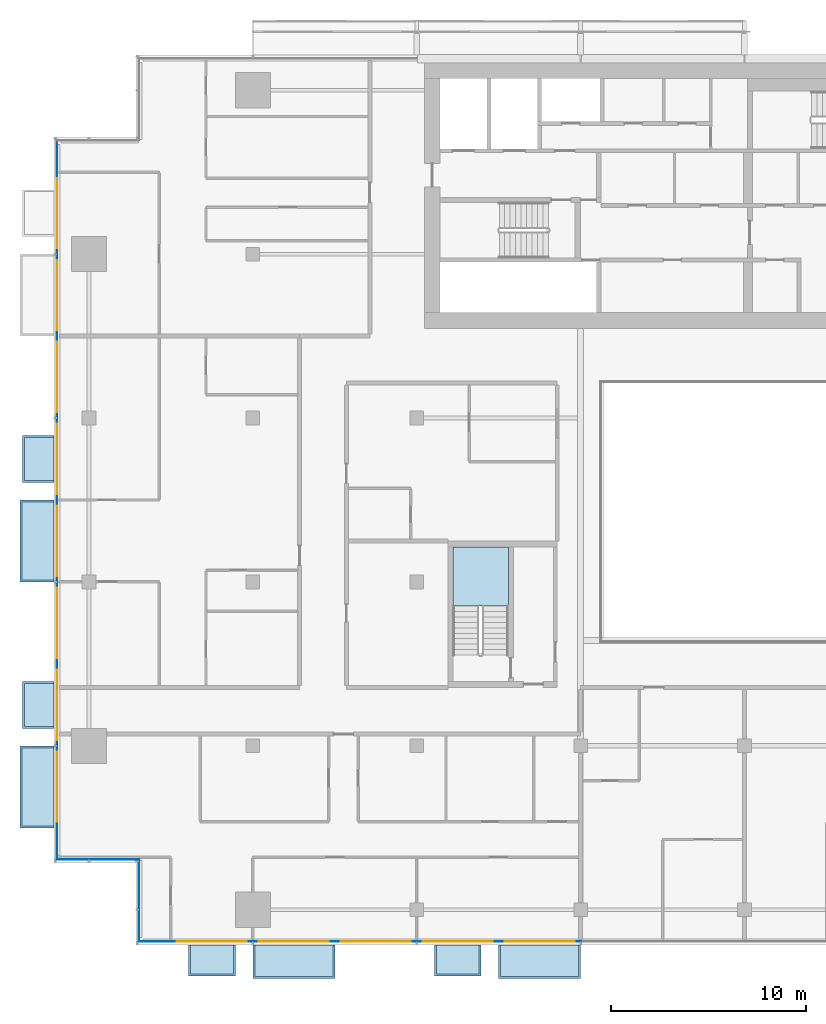
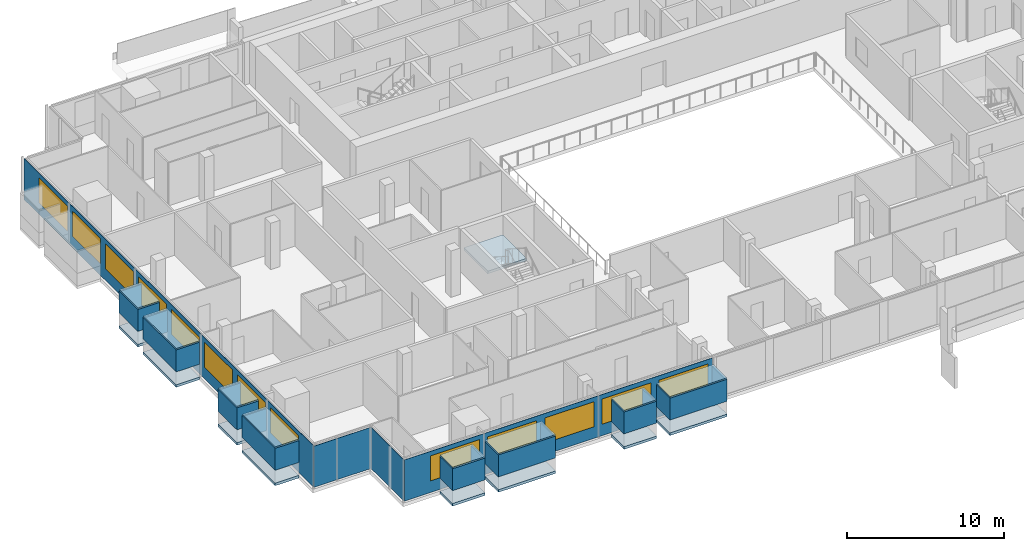
# One storey, part 14 of 28: 20 plates, 13 windows, 9 slabs, 13 openings, 5 elements without a shape of their own.
"""IFC4 building model written with IfcOpenShell, lengths in metres."""

import ifcopenshell
import ifcopenshell.guid

model = None  # the IFC model being written
_history = None  # IfcOwnerHistory: only IFC2X3 demands one
_inside = {}  # id of a spatial element -> (the spatial element, [elements in it])
_under = {}  # id of a project, library or spatial element -> (it, [spatial elements below it])
_declared = {}  # id of a project -> (the project, [libraries it declares])
_typed = {}  # id of a type object -> (the type object, [elements of that type])
_made_of = {}  # id of a material, layer set ... -> (it, [elements and type objects made of it])


def new_model(schema):
    """Start an empty IFC model of exactly this schema.

    Asked for "IFC4X3", IfcOpenShell would pick the latest addendum, in which some entities
    have other attributes; the version numbers below select the first issue.
    IFC2X3 requires an IfcOwnerHistory on every rooted entity: one is made here for all.
    """
    global model, _history
    if schema == "IFC4X3":
        model = ifcopenshell.file(schema_version=(4, 3, 0, 0))
    else:
        model = ifcopenshell.file(schema=schema)
    _inside.clear()
    _under.clear()
    _declared.clear()
    _typed.clear()
    _made_of.clear()
    _history = None
    if model.schema == "IFC2X3":
        org = make("IfcOrganization", Name="unknown")
        user = make(
            "IfcPersonAndOrganization",
            ThePerson=make("IfcPerson", FamilyName="unknown"),
            TheOrganization=org,
        )
        app = make(
            "IfcApplication",
            ApplicationDeveloper=org,
            Version="unknown",
            ApplicationFullName="unknown",
            ApplicationIdentifier="unknown",
        )
        _history = make(
            "IfcOwnerHistory",
            OwningUser=user,
            OwningApplication=app,
            ChangeAction="ADDED",
            CreationDate=0,
        )
    return model


def make(cls, **values):
    """One entity of the class cls with the attributes given. An attribute that is None is left unset."""
    return model.create_entity(
        cls, **{name: value for name, value in values.items() if value is not None}
    )


def rooted(cls, **values):
    """An entity with a GlobalId (a new one), such as an element, a storey or a relation."""
    return make(cls, GlobalId=ifcopenshell.guid.new(), OwnerHistory=_history, **values)


def si_unit(unit_type, name, prefix=None):
    """IfcSIUnit, for example si_unit("LENGTHUNIT", "METRE", prefix="MILLI")."""
    return make("IfcSIUnit", UnitType=unit_type, Prefix=prefix, Name=name)


def assignment(units):
    """IfcUnitAssignment: the units of a project."""
    return None if units is None else make("IfcUnitAssignment", Units=units)


def point(xyz):
    """IfcCartesianPoint."""
    return None if xyz is None else make("IfcCartesianPoint", Coordinates=xyz)


def direction(xyz):
    """IfcDirection."""
    return None if xyz is None else make("IfcDirection", DirectionRatios=xyz)


def frame(location, z_axis=None, x_axis=None):
    """IfcAxis2Placement3D, a coordinate frame: its origin and axes. An axis left out is left unset."""
    return make(
        "IfcAxis2Placement3D",
        Location=point(location),
        Axis=direction(z_axis),
        RefDirection=direction(x_axis),
    )


def frame_2d(location, x_axis=None):
    """IfcAxis2Placement2D, a coordinate frame in the plane: its origin and x axis."""
    return make(
        "IfcAxis2Placement2D", Location=point(location), RefDirection=direction(x_axis)
    )


def origin():
    """The frame at (0, 0, 0) with its axes left unset."""
    return frame((0.0, 0.0, 0.0))


def place(relative_to, where):
    """IfcLocalPlacement: puts the frame where relative to a parent placement (None: the world)."""
    return make(
        "IfcLocalPlacement", PlacementRelTo=relative_to, RelativePlacement=where
    )


def context(
    kind, dimensions, precision=None, world=None, true_north=None, identifier=None
):
    """IfcGeometricRepresentationContext, for example the 3D "Model" context."""
    return make(
        "IfcGeometricRepresentationContext",
        ContextIdentifier=identifier,
        ContextType=kind,
        CoordinateSpaceDimension=dimensions,
        Precision=precision,
        WorldCoordinateSystem=world,
        TrueNorth=true_north,
    )


def subcontext(parent, identifier, kind, view, scale=None):
    """IfcGeometricRepresentationSubContext, for example "Body" below "Model"."""
    return make(
        "IfcGeometricRepresentationSubContext",
        ContextIdentifier=identifier,
        ContextType=kind,
        ParentContext=parent,
        TargetScale=scale,
        TargetView=view,
    )


def project(units=None, contexts=None):
    """IfcProject with its units and contexts."""
    return rooted(
        "IfcProject",
        Name="project",
        RepresentationContexts=contexts,
        UnitsInContext=assignment(units),
    )


def spatial(cls, under=None, at=None, **own):
    """A site, building, storey or space (cls), placed at a placement, below another one or the project."""
    s = rooted(cls, ObjectPlacement=at, **own)
    if under is not None:
        _under.setdefault(under.id(), (under, []))[1].append(s)
    return s


def polyline(points):
    """IfcPolyline through the points."""
    return make("IfcPolyline", Points=[point(p) for p in points])


def profile(cls, at=None, kind="AREA", **sizes):
    """A parametric profile (cls). Its sizes go by their IFC names, for example OverallWidth=200.0."""
    return make(cls, ProfileType=kind, Position=at, **sizes)


def rectangle(**sizes):
    """IfcRectangleProfileDef."""
    return profile("IfcRectangleProfileDef", **sizes)


def outline(outer, holes=None, kind="AREA"):
    """IfcArbitraryClosedProfileDef: a profile drawn as a closed curve; with holes, ...WithVoids."""
    if holes is None:
        return make("IfcArbitraryClosedProfileDef", ProfileType=kind, OuterCurve=outer)
    return make(
        "IfcArbitraryProfileDefWithVoids",
        ProfileType=kind,
        OuterCurve=outer,
        InnerCurves=holes,
    )


def extrude(swept, where, along, depth):
    """IfcExtrudedAreaSolid: the profile swept, set in the frame where, extruded along a direction by depth."""
    return make(
        "IfcExtrudedAreaSolid",
        SweptArea=swept,
        Position=where,
        ExtrudedDirection=direction(along),
        Depth=depth,
    )


def shape(context_of_items, identifier, shape_type, items):
    """IfcShapeRepresentation: the items that make up one representation, for example the "Body"."""
    return make(
        "IfcShapeRepresentation",
        ContextOfItems=context_of_items,
        RepresentationIdentifier=identifier,
        RepresentationType=shape_type,
        Items=items,
    )


def material(Name=None, Category=None):
    """IfcMaterial."""
    return make("IfcMaterial", Name=Name, Category=Category)


def layer(
    of_material, thickness, ventilated=None, Name=None, Category=None, Priority=None
):
    """IfcMaterialLayer: one layer of a wall or slab, of a material (None: an air gap)."""
    return make(
        "IfcMaterialLayer",
        Material=of_material,
        LayerThickness=thickness,
        IsVentilated=ventilated,
        Name=Name,
        Category=Category,
        Priority=Priority,
    )


def layer_set(layers, Name=None):
    """IfcMaterialLayerSet."""
    return make("IfcMaterialLayerSet", MaterialLayers=layers, LayerSetName=Name)


def made_of(thing, what):
    """Note that an element or type object is made of a material, layer set ...; save() writes the relation."""
    if what is not None:
        _made_of.setdefault(what.id(), (what, []))[1].append(thing)
    return thing


def type_object(cls, material=None, **own):
    """A type object (cls), such as IfcWallType, which elements share."""
    return made_of(rooted(cls, **own), material)


def element(
    cls,
    number,
    at=None,
    inside=None,
    cuts=None,
    type_object=None,
    material=None,
    context=None,
    identifier="Body",
    shape_type=None,
    held_by="IfcProductDefinitionShape",
    body=None,
    shapes=None,
    **own,
):
    """One element of the class cls, such as IfcWall. Its Tag is "e" and its number.

    at: its placement. inside: the storey or other place that contains it. cuts: it is an
    opening in that element (IfcRelVoidsElement). A single representation is given by context,
    identifier, shape_type and body (its items); several are given by shapes. held_by: the class
    of the entity that holds the representations. save() writes the other relations.
    """
    e = rooted(cls, Tag="e%d" % number, ObjectPlacement=at, **own)
    if body is not None:
        shapes = [shape(context, identifier, shape_type, body)]
    if shapes is not None:
        e.Representation = make(held_by, Representations=shapes)
    if inside is not None:
        _inside.setdefault(inside.id(), (inside, []))[1].append(e)
    if cuts is not None:
        rooted(
            "IfcRelVoidsElement", RelatingBuildingElement=cuts, RelatedOpeningElement=e
        )
    if type_object is not None:
        _typed.setdefault(type_object.id(), (type_object, []))[1].append(e)
    return made_of(e, material)


def fill(opening, filler):
    """IfcRelFillsElement: the door or window that sits in an opening."""
    return rooted(
        "IfcRelFillsElement",
        RelatingOpeningElement=opening,
        RelatedBuildingElement=filler,
    )


def aggregate(whole, parts):
    """IfcRelAggregates: a whole, such as a stair, and the parts it consists of."""
    return rooted("IfcRelAggregates", RelatingObject=whole, RelatedObjects=parts)


def save(model, path):
    """Write the relations noted so far, then the file.

    IfcRelAggregates (storeys below a building ...), IfcRelContainedInSpatialStructure (elements
    in a storey), IfcRelDefinesByType, IfcRelAssociatesMaterial and IfcRelDeclares: one each for
    every whole, place, type object, material and project.
    """
    for whole, parts in _under.values():
        aggregate(whole, parts)
    for where, things in _inside.values():
        rooted(
            "IfcRelContainedInSpatialStructure",
            RelatedElements=things,
            RelatingStructure=where,
        )
    for kind, things in _typed.values():
        rooted("IfcRelDefinesByType", RelatedObjects=things, RelatingType=kind)
    for what, things in _made_of.values():
        rooted("IfcRelAssociatesMaterial", RelatedObjects=things, RelatingMaterial=what)
    for by, libraries in _declared.values():
        rooted("IfcRelDeclares", RelatingContext=by, RelatedDefinitions=libraries)
    model.write(path)


model = new_model("IFC4")

# Units and contexts
model_context = context("Model", 3, precision=1e-05, world=origin(), true_north=direction((0.0, 1.0)))
body_context = subcontext(model_context, "Body", "Model", "MODEL_VIEW")
ifc_project = project(units=[si_unit("LENGTHUNIT", "METRE"), si_unit("AREAUNIT", "SQUARE_METRE"), si_unit("VOLUMEUNIT", "CUBIC_METRE"), si_unit("PLANEANGLEUNIT", "RADIAN"), si_unit("MASSUNIT", "GRAM", prefix="KILO")], contexts=[model_context])

# Site, building, storey
site_placement = place(None, origin())
site = spatial("IfcSite", under=ifc_project, at=site_placement, CompositionType="ELEMENT")
building_placement = place(site_placement, origin())
building = spatial("IfcBuilding", under=site, at=building_placement, Name="Saffron Gate Tower", CompositionType="ELEMENT")
storey_placement = place(building_placement, frame((0.0, 0.0, 154.64990234375)))
storey = spatial("IfcBuildingStorey", under=building, at=storey_placement, Name="L37", CompositionType="ELEMENT", Elevation=154.64990234375)

# Curtain wall, plate, openings, windows
ifc_material_1 = material(Name="Aluminium, bronze anodised", Category="aluminium")
curtain_wall_type_1 = type_object("IfcCurtainWallType", Name="CWS1 curtain wall front facade", PredefinedType="NOTDEFINED", material=ifc_material_1)
curtain_wall_1_placement = place(storey_placement, origin())
curtain_wall_1 = element("IfcCurtainWall", 1, at=curtain_wall_1_placement, inside=storey, type_object=curtain_wall_type_1, Name="CWS1 run 1", PredefinedType="NOTDEFINED")
ifc_material_2 = material(Name="Fritted bronze-tinted laminated glass", Category="glass")
ifc_layer_1 = layer(ifc_material_2, 0.028076171875)
ifc_layer_set_1 = layer_set([ifc_layer_1], Name="CWS1 fixed glass")
plate_type_1 = type_object("IfcPlateType", Name="CWS1 fixed glass", PredefinedType="CURTAIN_PANEL", material=ifc_layer_set_1)
plate_1_placement = place(storey_placement, frame((52.387939453125, 30.174072265625, 0.0), z_axis=(0.0, 0.0, 1.0), x_axis=(1.0, 0.0, 0.0)))
plate_1 = element("IfcPlate", 2, at=plate_1_placement, type_object=plate_type_1, Name="CWS1 glass panel", PredefinedType="CURTAIN_PANEL", context=body_context, shape_type="SweptSolid", body=[
    extrude(rectangle(XDim=22.64208984375, YDim=0.028076171875, at=frame_2d((11.321044921875, 0.0))), origin(), (0.0, 0.0, 1.0), 3.2001953125),
])
opening_1_placement = place(plate_1_placement, frame((1.912109375, 0.0, 0.89990234375)))
opening_1 = element("IfcOpeningElement", 3, at=opening_1_placement, cuts=plate_1, Name="Opening W1", PredefinedType="OPENING", context=body_context, shape_type="SweptSolid", body=[
    extrude(rectangle(XDim=3.60009765625, YDim=1.949951171875, at=frame_2d((1.800048828125, 0.97509765625))), frame((0.0, 0.02392578125, 0.0), z_axis=(0.0, -1.0, 0.0), x_axis=(1.0, 0.0, 0.0)), (0.0, 0.0, 1.0), 0.048095703125),
])
opening_2_placement = place(plate_1_placement, frame((6.112060546875, 0.0, 0.89990234375)))
opening_2 = element("IfcOpeningElement", 4, at=opening_2_placement, cuts=plate_1, Name="Opening W1", PredefinedType="OPENING", context=body_context, shape_type="SweptSolid", body=[
    extrude(rectangle(XDim=3.60009765625, YDim=1.949951171875, at=frame_2d((1.800048828125, 0.97509765625))), frame((0.0, 0.02392578125, 0.0), z_axis=(0.0, -1.0, 0.0), x_axis=(1.0, 0.0, 0.0)), (0.0, 0.0, 1.0), 0.048095703125),
])
opening_3_placement = place(plate_1_placement, frame((10.31201171875, 0.0, 0.89990234375)))
opening_3 = element("IfcOpeningElement", 5, at=opening_3_placement, cuts=plate_1, Name="Opening W1", PredefinedType="OPENING", context=body_context, shape_type="SweptSolid", body=[
    extrude(rectangle(XDim=3.60009765625, YDim=1.949951171875, at=frame_2d((1.800048828125, 0.97509765625))), frame((0.0, 0.02392578125, 0.0), z_axis=(0.0, -1.0, 0.0), x_axis=(1.0, 0.0, 0.0)), (0.0, 0.0, 1.0), 0.048095703125),
])
opening_4_placement = place(plate_1_placement, frame((14.511962890625, 0.0, 0.89990234375)))
opening_4 = element("IfcOpeningElement", 6, at=opening_4_placement, cuts=plate_1, Name="Opening W1", PredefinedType="OPENING", context=body_context, shape_type="SweptSolid", body=[
    extrude(rectangle(XDim=3.60009765625, YDim=1.949951171875, at=frame_2d((1.800048828125, 0.97509765625))), frame((0.0, 0.02392578125, 0.0), z_axis=(0.0, -1.0, 0.0), x_axis=(1.0, 0.0, 0.0)), (0.0, 0.0, 1.0), 0.048095703125),
])
opening_5_placement = place(plate_1_placement, frame((18.7119140625, 0.0, 0.89990234375)))
opening_5 = element("IfcOpeningElement", 7, at=opening_5_placement, cuts=plate_1, Name="Opening W1", PredefinedType="OPENING", context=body_context, shape_type="SweptSolid", body=[
    extrude(rectangle(XDim=3.60009765625, YDim=1.949951171875, at=frame_2d((1.800048828125, 0.97509765625))), frame((0.0, 0.02392578125, 0.0), z_axis=(0.0, -1.0, 0.0), x_axis=(1.0, 0.0, 0.0)), (0.0, 0.0, 1.0), 0.048095703125),
])
ifc_material_3 = material(Name="Fritted bronze-tinted laminated glass in bronze frame", Category="glass")
ifc_layer_2 = layer(ifc_material_3, 0.06005859375)
ifc_layer_set_2 = layer_set([ifc_layer_2], Name="W1 operable panel 3600x1950")
window_type = type_object("IfcWindowType", Name="W1 operable panel 3600x1950", PartitioningType="DOUBLE_PANEL_HORIZONTAL", PredefinedType="WINDOW", material=ifc_layer_set_2)
window_1_placement = place(opening_1_placement, origin())
window_1 = element("IfcWindow", 8, at=window_1_placement, type_object=window_type, Name="W1 operable panel", OverallHeight=1.949951171875, OverallWidth=3.60009765625, PartitioningType="SINGLE_PANEL", PredefinedType="WINDOW", context=body_context, shape_type="SweptSolid", body=[
    extrude(rectangle(XDim=3.60009765625, YDim=1.949951171875, at=frame_2d((1.800048828125, 0.97509765625))), frame((0.0, 0.013671875, 0.0), z_axis=(0.0, -1.0, 0.0), x_axis=(1.0, 0.0, 0.0)), (0.0, 0.0, 1.0), 0.027587890625),
])
fill(opening_1, window_1)
window_2_placement = place(opening_2_placement, origin())
window_2 = element("IfcWindow", 9, at=window_2_placement, type_object=window_type, Name="W1 operable panel", OverallHeight=1.949951171875, OverallWidth=3.60009765625, PartitioningType="SINGLE_PANEL", PredefinedType="WINDOW", context=body_context, shape_type="SweptSolid", body=[
    extrude(rectangle(XDim=3.60009765625, YDim=1.949951171875, at=frame_2d((1.800048828125, 0.97509765625))), frame((0.0, 0.013671875, 0.0), z_axis=(0.0, -1.0, 0.0), x_axis=(1.0, 0.0, 0.0)), (0.0, 0.0, 1.0), 0.027587890625),
])
fill(opening_2, window_2)
window_3_placement = place(opening_3_placement, origin())
window_3 = element("IfcWindow", 10, at=window_3_placement, type_object=window_type, Name="W1 operable panel", OverallHeight=1.949951171875, OverallWidth=3.60009765625, PartitioningType="SINGLE_PANEL", PredefinedType="WINDOW", context=body_context, shape_type="SweptSolid", body=[
    extrude(rectangle(XDim=3.60009765625, YDim=1.949951171875, at=frame_2d((1.800048828125, 0.97509765625))), frame((0.0, 0.013671875, 0.0), z_axis=(0.0, -1.0, 0.0), x_axis=(1.0, 0.0, 0.0)), (0.0, 0.0, 1.0), 0.027587890625),
])
fill(opening_3, window_3)
window_4_placement = place(opening_4_placement, origin())
window_4 = element("IfcWindow", 11, at=window_4_placement, type_object=window_type, Name="W1 operable panel", OverallHeight=1.949951171875, OverallWidth=3.60009765625, PartitioningType="SINGLE_PANEL", PredefinedType="WINDOW", context=body_context, shape_type="SweptSolid", body=[
    extrude(rectangle(XDim=3.60009765625, YDim=1.949951171875, at=frame_2d((1.800048828125, 0.97509765625))), frame((0.0, 0.013671875, 0.0), z_axis=(0.0, -1.0, 0.0), x_axis=(1.0, 0.0, 0.0)), (0.0, 0.0, 1.0), 0.027587890625),
])
fill(opening_4, window_4)
window_5_placement = place(opening_5_placement, origin())
window_5 = element("IfcWindow", 12, at=window_5_placement, type_object=window_type, Name="W1 operable panel", OverallHeight=1.949951171875, OverallWidth=3.60009765625, PartitioningType="SINGLE_PANEL", PredefinedType="WINDOW", context=body_context, shape_type="SweptSolid", body=[
    extrude(rectangle(XDim=3.60009765625, YDim=1.949951171875, at=frame_2d((1.800048828125, 0.97509765625))), frame((0.0, 0.013671875, 0.0), z_axis=(0.0, -1.0, 0.0), x_axis=(1.0, 0.0, 0.0)), (0.0, 0.0, 1.0), 0.027587890625),
])
fill(opening_5, window_5)
aggregate(curtain_wall_1, [plate_1, window_1, window_2, window_3, window_4, window_5])

curtain_wall_type_2 = type_object("IfcCurtainWallType", Name="CWS2 curtain wall side facades", PredefinedType="NOTDEFINED", material=ifc_material_1)
curtain_wall_2_placement = place(storey_placement, origin())
curtain_wall_2 = element("IfcCurtainWall", 13, at=curtain_wall_2_placement, inside=storey, type_object=curtain_wall_type_2, Name="CWS2 run 10", PredefinedType="NOTDEFINED")
ifc_layer_3 = layer(ifc_material_2, 0.028076171875)
ifc_layer_set_3 = layer_set([ifc_layer_3], Name="CWS2 fixed glass")
plate_type_2 = type_object("IfcPlateType", Name="CWS2 fixed glass", PredefinedType="CURTAIN_PANEL", material=ifc_layer_set_3)
plate_2_placement = place(storey_placement, frame((48.174072265625, 71.2119140625, 0.0), z_axis=(0.0, 0.0, 1.0), x_axis=(0.0, -1.0, 0.0)))
plate_2 = element("IfcPlate", 14, at=plate_2_placement, type_object=plate_type_2, Name="CWS2 glass panel", PredefinedType="CURTAIN_PANEL", context=body_context, shape_type="SweptSolid", body=[
    extrude(rectangle(XDim=36.823974609375, YDim=0.028076171875, at=frame_2d((18.412109375, 0.0))), origin(), (0.0, 0.0, 1.0), 3.2001953125),
])
opening_6_placement = place(plate_2_placement, frame((1.912109375, 0.0, 0.89990234375)))
opening_6 = element("IfcOpeningElement", 15, at=opening_6_placement, cuts=plate_2, Name="Opening W1", PredefinedType="OPENING", context=body_context, shape_type="SweptSolid", body=[
    extrude(rectangle(XDim=3.60009765625, YDim=1.949951171875, at=frame_2d((1.800048828125, 0.97509765625))), frame((0.0, 0.02392578125, 0.0), z_axis=(0.0, -1.0, 0.0), x_axis=(1.0, 0.0, 0.0)), (0.0, 0.0, 1.0), 0.048095703125),
])
opening_7_placement = place(plate_2_placement, frame((6.112060546875, 0.0, 0.89990234375)))
opening_7 = element("IfcOpeningElement", 16, at=opening_7_placement, cuts=plate_2, Name="Opening W1", PredefinedType="OPENING", context=body_context, shape_type="SweptSolid", body=[
    extrude(rectangle(XDim=3.60009765625, YDim=1.949951171875, at=frame_2d((1.800048828125, 0.97509765625))), frame((0.0, 0.02392578125, 0.0), z_axis=(0.0, -1.0, 0.0), x_axis=(1.0, 0.0, 0.0)), (0.0, 0.0, 1.0), 0.048095703125),
])
opening_8_placement = place(plate_2_placement, frame((10.31201171875, 0.0, 0.89990234375)))
opening_8 = element("IfcOpeningElement", 17, at=opening_8_placement, cuts=plate_2, Name="Opening W1", PredefinedType="OPENING", context=body_context, shape_type="SweptSolid", body=[
    extrude(rectangle(XDim=3.60009765625, YDim=1.949951171875, at=frame_2d((1.800048828125, 0.97509765625))), frame((0.0, 0.02392578125, 0.0), z_axis=(0.0, -1.0, 0.0), x_axis=(1.0, 0.0, 0.0)), (0.0, 0.0, 1.0), 0.048095703125),
])
opening_9_placement = place(plate_2_placement, frame((14.511962890625, 0.0, 0.89990234375)))
opening_9 = element("IfcOpeningElement", 18, at=opening_9_placement, cuts=plate_2, Name="Opening W1", PredefinedType="OPENING", context=body_context, shape_type="SweptSolid", body=[
    extrude(rectangle(XDim=3.60009765625, YDim=1.949951171875, at=frame_2d((1.800048828125, 0.97509765625))), frame((0.0, 0.02392578125, 0.0), z_axis=(0.0, -1.0, 0.0), x_axis=(1.0, 0.0, 0.0)), (0.0, 0.0, 1.0), 0.048095703125),
])
opening_10_placement = place(plate_2_placement, frame((18.7119140625, 0.0, 0.89990234375)))
opening_10 = element("IfcOpeningElement", 19, at=opening_10_placement, cuts=plate_2, Name="Opening W1", PredefinedType="OPENING", context=body_context, shape_type="SweptSolid", body=[
    extrude(rectangle(XDim=3.60009765625, YDim=1.949951171875, at=frame_2d((1.800048828125, 0.97509765625))), frame((0.0, 0.02392578125, 0.0), z_axis=(0.0, -1.0, 0.0), x_axis=(1.0, 0.0, 0.0)), (0.0, 0.0, 1.0), 0.048095703125),
])
opening_11_placement = place(plate_2_placement, frame((22.912109375, 0.0, 0.89990234375)))
opening_11 = element("IfcOpeningElement", 20, at=opening_11_placement, cuts=plate_2, Name="Opening W1", PredefinedType="OPENING", context=body_context, shape_type="SweptSolid", body=[
    extrude(rectangle(XDim=3.60009765625, YDim=1.949951171875, at=frame_2d((1.800048828125, 0.97509765625))), frame((0.0, 0.02392578125, 0.0), z_axis=(0.0, -1.0, 0.0), x_axis=(1.0, 0.0, 0.0)), (0.0, 0.0, 1.0), 0.048095703125),
])
opening_12_placement = place(plate_2_placement, frame((27.112060546875, 0.0, 0.89990234375)))
opening_12 = element("IfcOpeningElement", 21, at=opening_12_placement, cuts=plate_2, Name="Opening W1", PredefinedType="OPENING", context=body_context, shape_type="SweptSolid", body=[
    extrude(rectangle(XDim=3.60009765625, YDim=1.949951171875, at=frame_2d((1.800048828125, 0.97509765625))), frame((0.0, 0.02392578125, 0.0), z_axis=(0.0, -1.0, 0.0), x_axis=(1.0, 0.0, 0.0)), (0.0, 0.0, 1.0), 0.048095703125),
])
opening_13_placement = place(plate_2_placement, frame((31.31201171875, 0.0, 0.89990234375)))
opening_13 = element("IfcOpeningElement", 22, at=opening_13_placement, cuts=plate_2, Name="Opening W1", PredefinedType="OPENING", context=body_context, shape_type="SweptSolid", body=[
    extrude(rectangle(XDim=3.60009765625, YDim=1.949951171875, at=frame_2d((1.800048828125, 0.97509765625))), frame((0.0, 0.02392578125, 0.0), z_axis=(0.0, -1.0, 0.0), x_axis=(1.0, 0.0, 0.0)), (0.0, 0.0, 1.0), 0.048095703125),
])
window_6_placement = place(opening_6_placement, origin())
window_6 = element("IfcWindow", 23, at=window_6_placement, type_object=window_type, Name="W1 operable panel", OverallHeight=1.949951171875, OverallWidth=3.60009765625, PartitioningType="SINGLE_PANEL", PredefinedType="WINDOW", context=body_context, shape_type="SweptSolid", body=[
    extrude(rectangle(XDim=3.60009765625, YDim=1.949951171875, at=frame_2d((1.800048828125, 0.97509765625))), frame((0.0, 0.013671875, 0.0), z_axis=(0.0, -1.0, 0.0), x_axis=(1.0, 0.0, 0.0)), (0.0, 0.0, 1.0), 0.027587890625),
])
fill(opening_6, window_6)
window_7_placement = place(opening_7_placement, origin())
window_7 = element("IfcWindow", 24, at=window_7_placement, type_object=window_type, Name="W1 operable panel", OverallHeight=1.949951171875, OverallWidth=3.60009765625, PartitioningType="SINGLE_PANEL", PredefinedType="WINDOW", context=body_context, shape_type="SweptSolid", body=[
    extrude(rectangle(XDim=3.60009765625, YDim=1.949951171875, at=frame_2d((1.800048828125, 0.97509765625))), frame((0.0, 0.013671875, 0.0), z_axis=(0.0, -1.0, 0.0), x_axis=(1.0, 0.0, 0.0)), (0.0, 0.0, 1.0), 0.027587890625),
])
fill(opening_7, window_7)
window_8_placement = place(opening_8_placement, origin())
window_8 = element("IfcWindow", 25, at=window_8_placement, type_object=window_type, Name="W1 operable panel", OverallHeight=1.949951171875, OverallWidth=3.60009765625, PartitioningType="SINGLE_PANEL", PredefinedType="WINDOW", context=body_context, shape_type="SweptSolid", body=[
    extrude(rectangle(XDim=3.60009765625, YDim=1.949951171875, at=frame_2d((1.800048828125, 0.97509765625))), frame((0.0, 0.013671875, 0.0), z_axis=(0.0, -1.0, 0.0), x_axis=(1.0, 0.0, 0.0)), (0.0, 0.0, 1.0), 0.027587890625),
])
fill(opening_8, window_8)
window_9_placement = place(opening_9_placement, origin())
window_9 = element("IfcWindow", 26, at=window_9_placement, type_object=window_type, Name="W1 operable panel", OverallHeight=1.949951171875, OverallWidth=3.60009765625, PartitioningType="SINGLE_PANEL", PredefinedType="WINDOW", context=body_context, shape_type="SweptSolid", body=[
    extrude(rectangle(XDim=3.60009765625, YDim=1.949951171875, at=frame_2d((1.800048828125, 0.97509765625))), frame((0.0, 0.013671875, 0.0), z_axis=(0.0, -1.0, 0.0), x_axis=(1.0, 0.0, 0.0)), (0.0, 0.0, 1.0), 0.027587890625),
])
fill(opening_9, window_9)
window_10_placement = place(opening_10_placement, origin())
window_10 = element("IfcWindow", 27, at=window_10_placement, type_object=window_type, Name="W1 operable panel", OverallHeight=1.949951171875, OverallWidth=3.60009765625, PartitioningType="SINGLE_PANEL", PredefinedType="WINDOW", context=body_context, shape_type="SweptSolid", body=[
    extrude(rectangle(XDim=3.60009765625, YDim=1.949951171875, at=frame_2d((1.800048828125, 0.97509765625))), frame((0.0, 0.013671875, 0.0), z_axis=(0.0, -1.0, 0.0), x_axis=(1.0, 0.0, 0.0)), (0.0, 0.0, 1.0), 0.027587890625),
])
fill(opening_10, window_10)
window_11_placement = place(opening_11_placement, origin())
window_11 = element("IfcWindow", 28, at=window_11_placement, type_object=window_type, Name="W1 operable panel", OverallHeight=1.949951171875, OverallWidth=3.60009765625, PartitioningType="SINGLE_PANEL", PredefinedType="WINDOW", context=body_context, shape_type="SweptSolid", body=[
    extrude(rectangle(XDim=3.60009765625, YDim=1.949951171875, at=frame_2d((1.800048828125, 0.97509765625))), frame((0.0, 0.013671875, 0.0), z_axis=(0.0, -1.0, 0.0), x_axis=(1.0, 0.0, 0.0)), (0.0, 0.0, 1.0), 0.027587890625),
])
fill(opening_11, window_11)
window_12_placement = place(opening_12_placement, origin())
window_12 = element("IfcWindow", 29, at=window_12_placement, type_object=window_type, Name="W1 operable panel", OverallHeight=1.949951171875, OverallWidth=3.60009765625, PartitioningType="SINGLE_PANEL", PredefinedType="WINDOW", context=body_context, shape_type="SweptSolid", body=[
    extrude(rectangle(XDim=3.60009765625, YDim=1.949951171875, at=frame_2d((1.800048828125, 0.97509765625))), frame((0.0, 0.013671875, 0.0), z_axis=(0.0, -1.0, 0.0), x_axis=(1.0, 0.0, 0.0)), (0.0, 0.0, 1.0), 0.027587890625),
])
fill(opening_12, window_12)
window_13_placement = place(opening_13_placement, origin())
window_13 = element("IfcWindow", 30, at=window_13_placement, type_object=window_type, Name="W1 operable panel", OverallHeight=1.949951171875, OverallWidth=3.60009765625, PartitioningType="SINGLE_PANEL", PredefinedType="WINDOW", context=body_context, shape_type="SweptSolid", body=[
    extrude(rectangle(XDim=3.60009765625, YDim=1.949951171875, at=frame_2d((1.800048828125, 0.97509765625))), frame((0.0, 0.013671875, 0.0), z_axis=(0.0, -1.0, 0.0), x_axis=(1.0, 0.0, 0.0)), (0.0, 0.0, 1.0), 0.027587890625),
])
fill(opening_13, window_13)
aggregate(curtain_wall_2, [plate_2, window_6, window_7, window_8, window_9, window_10, window_11, window_12, window_13])

# Curtain wall, plate
curtain_wall_type_3 = type_object("IfcCurtainWallType", Name="CWS4 curtain wall corner returns", PredefinedType="NOTDEFINED", material=ifc_material_1)
curtain_wall_3_placement = place(storey_placement, origin())
curtain_wall_3 = element("IfcCurtainWall", 31, at=curtain_wall_3_placement, inside=storey, type_object=curtain_wall_type_3, Name="CWS4 run 11", PredefinedType="NOTDEFINED")
ifc_layer_4 = layer(ifc_material_2, 0.028076171875)
ifc_layer_set_4 = layer_set([ifc_layer_4], Name="CWS4 fixed glass")
plate_type_3 = type_object("IfcPlateType", Name="CWS4 fixed glass", PredefinedType="CURTAIN_PANEL", material=ifc_layer_set_4)
plate_3_placement = place(storey_placement, frame((48.18798828125, 34.3740234375, 0.0), z_axis=(0.0, 0.0, 1.0), x_axis=(1.0, 0.0, 0.0)))
plate_3 = element("IfcPlate", 32, at=plate_3_placement, type_object=plate_type_3, Name="CWS4 glass panel", PredefinedType="CURTAIN_PANEL", context=body_context, shape_type="SweptSolid", body=[
    extrude(rectangle(XDim=4.172119140625, YDim=0.028076171875, at=frame_2d((2.0859375, 0.0))), origin(), (0.0, 0.0, 1.0), 3.2001953125),
])
aggregate(curtain_wall_3, [plate_3])

curtain_wall_4_placement = place(storey_placement, origin())
curtain_wall_4 = element("IfcCurtainWall", 33, at=curtain_wall_4_placement, inside=storey, type_object=curtain_wall_type_3, Name="CWS4 run 12", PredefinedType="NOTDEFINED")
plate_4_placement = place(storey_placement, frame((52.3740234375, 34.360107421875, 0.0), z_axis=(0.0, 0.0, 1.0), x_axis=(0.0, -1.0, 0.0)))
plate_4 = element("IfcPlate", 34, at=plate_4_placement, type_object=plate_type_3, Name="CWS4 glass panel", PredefinedType="CURTAIN_PANEL", context=body_context, shape_type="SweptSolid", body=[
    extrude(rectangle(XDim=4.172119140625, YDim=0.028076171875, at=frame_2d((2.0859375, 0.0))), origin(), (0.0, 0.0, 1.0), 3.2001953125),
])
aggregate(curtain_wall_4, [plate_4])

# Stair, slab
ifc_material_4 = material(Name="Concrete C40", Category="concrete")
stair_type = type_object("IfcStairType", Name="ST7 Stair 1350 wide, 20 risers of 180", PredefinedType="HALF_TURN_STAIR", material=ifc_material_4)
stair_placement = place(storey_placement, origin())
stair = element("IfcStair", 35, at=stair_placement, inside=storey, type_object=stair_type, Name="L37 Exit stair D", PredefinedType="HALF_TURN_STAIR")
ifc_layer_5 = layer(ifc_material_4, 0.199951171875)
ifc_layer_set_5 = layer_set([ifc_layer_5], Name="SL1 Stair landing 200")
slab_type_1 = type_object("IfcSlabType", Name="SL1 Stair landing 200", PredefinedType="LANDING", material=ifc_layer_set_5)
slab_1_placement = place(storey_placement, frame((0.0, 0.0, 1.60009765625)))
slab_1 = element("IfcSlab", 36, at=slab_1_placement, type_object=slab_type_1, Name="ST-D landing 1", PredefinedType="LANDING", context=body_context, shape_type="SweptSolid", body=[
    extrude(outline(polyline([(71.300048828125, 47.3701171875), (71.300048828125, 50.39990234375), (68.449951171875, 50.39990234375), (68.449951171875, 47.3701171875), (71.300048828125, 47.3701171875)])), origin(), (0.0, 0.0, 1.0), 0.199951171875),
])
aggregate(stair, [slab_1])

# Slabs
ifc_material_5 = material(Name="Timber deck on bronze frame", Category="wood")
ifc_layer_6 = layer(ifc_material_5, 0.199951171875)
ifc_layer_set_6 = layer_set([ifc_layer_6], Name="WB1 box floor")
slab_type_2 = type_object("IfcSlabType", Name="WB1 box floor", PredefinedType="FLOOR", material=ifc_layer_set_6)
slab_2_placement = place(storey_placement, frame((0.0, 0.0, -0.199951171875)))
element("IfcSlab", 37, at=slab_2_placement, inside=storey, type_object=slab_type_2, Name="WINDOW BOX floor", PredefinedType="FLOOR", context=body_context, shape_type="SweptSolid", body=[
    extrude(outline(polyline([(54.89990234375, 30.0), (57.300048828125, 30.0), (57.300048828125, 28.39990234375), (54.89990234375, 28.39990234375), (54.89990234375, 30.0)])), origin(), (0.0, 0.0, 1.0), 0.199951171875),
])
slab_3_placement = place(storey_placement, frame((0.0, 0.0, -0.199951171875)))
element("IfcSlab", 38, at=slab_3_placement, inside=storey, type_object=slab_type_2, Name="WINDOW BOX floor", PredefinedType="FLOOR", context=body_context, shape_type="SweptSolid", body=[
    extrude(outline(polyline([(58.199951171875, 30.0), (62.39990234375, 30.0), (62.39990234375, 28.26708984375), (58.199951171875, 28.26708984375), (58.199951171875, 30.0)])), origin(), (0.0, 0.0, 1.0), 0.199951171875),
])
slab_4_placement = place(storey_placement, frame((0.0, 0.0, -0.199951171875)))
element("IfcSlab", 39, at=slab_4_placement, inside=storey, type_object=slab_type_2, Name="WINDOW BOX floor", PredefinedType="FLOOR", context=body_context, shape_type="SweptSolid", body=[
    extrude(outline(polyline([(67.5, 30.0), (69.89990234375, 30.0), (69.89990234375, 28.39990234375), (67.5, 28.39990234375), (67.5, 30.0)])), origin(), (0.0, 0.0, 1.0), 0.199951171875),
])
slab_5_placement = place(storey_placement, frame((0.0, 0.0, -0.199951171875)))
element("IfcSlab", 40, at=slab_5_placement, inside=storey, type_object=slab_type_2, Name="WINDOW BOX floor", PredefinedType="FLOOR", context=body_context, shape_type="SweptSolid", body=[
    extrude(outline(polyline([(70.800048828125, 30.0), (75.0, 30.0), (75.0, 28.26708984375), (70.800048828125, 28.26708984375), (70.800048828125, 30.0)])), origin(), (0.0, 0.0, 1.0), 0.199951171875),
])
slab_6_placement = place(storey_placement, frame((0.0, 0.0, -0.199951171875)))
element("IfcSlab", 41, at=slab_6_placement, inside=storey, type_object=slab_type_2, Name="WINDOW BOX floor", PredefinedType="FLOOR", context=body_context, shape_type="SweptSolid", body=[
    extrude(outline(polyline([(48.0, 56.10009765625), (48.0, 53.699951171875), (46.39990234375, 53.699951171875), (46.39990234375, 56.10009765625), (48.0, 56.10009765625)])), origin(), (0.0, 0.0, 1.0), 0.199951171875),
])
slab_7_placement = place(storey_placement, frame((0.0, 0.0, -0.199951171875)))
element("IfcSlab", 42, at=slab_7_placement, inside=storey, type_object=slab_type_2, Name="WINDOW BOX floor", PredefinedType="FLOOR", context=body_context, shape_type="SweptSolid", body=[
    extrude(outline(polyline([(48.0, 52.800048828125), (48.0, 48.60009765625), (46.26708984375, 48.60009765625), (46.26708984375, 52.800048828125), (48.0, 52.800048828125)])), origin(), (0.0, 0.0, 1.0), 0.199951171875),
])
slab_8_placement = place(storey_placement, frame((0.0, 0.0, -0.199951171875)))
element("IfcSlab", 43, at=slab_8_placement, inside=storey, type_object=slab_type_2, Name="WINDOW BOX floor", PredefinedType="FLOOR", context=body_context, shape_type="SweptSolid", body=[
    extrude(outline(polyline([(48.0, 43.5), (48.0, 41.10009765625), (46.39990234375, 41.10009765625), (46.39990234375, 43.5), (48.0, 43.5)])), origin(), (0.0, 0.0, 1.0), 0.199951171875),
])
slab_9_placement = place(storey_placement, frame((0.0, 0.0, -0.199951171875)))
element("IfcSlab", 44, at=slab_9_placement, inside=storey, type_object=slab_type_2, Name="WINDOW BOX floor", PredefinedType="FLOOR", context=body_context, shape_type="SweptSolid", body=[
    extrude(outline(polyline([(48.0, 40.199951171875), (48.0, 36.0), (46.26708984375, 36.0), (46.26708984375, 40.199951171875), (48.0, 40.199951171875)])), origin(), (0.0, 0.0, 1.0), 0.199951171875),
])

# Plates
ifc_layer_7 = layer(ifc_material_1, 0.1201171875)
ifc_layer_set_7 = layer_set([ifc_layer_7], Name="WB2 box roof")
plate_type_4 = type_object("IfcPlateType", Name="WB2 box roof", PredefinedType="SHEET", material=ifc_layer_set_7)
plate_5_placement = place(storey_placement, frame((0.0, 0.0, 2.7001953125)))
element("IfcPlate", 45, at=plate_5_placement, inside=storey, type_object=plate_type_4, Name="WINDOW BOX roof", PredefinedType="SHEET", context=body_context, shape_type="SweptSolid", body=[
    extrude(outline(polyline([(54.89990234375, 30.0), (57.300048828125, 30.0), (57.300048828125, 28.39990234375), (54.89990234375, 28.39990234375), (54.89990234375, 30.0)])), origin(), (0.0, 0.0, 1.0), 0.119873046875),
])
plate_6_placement = place(storey_placement, frame((0.0, 0.0, 2.7001953125)))
element("IfcPlate", 46, at=plate_6_placement, inside=storey, type_object=plate_type_4, Name="WINDOW BOX roof", PredefinedType="SHEET", context=body_context, shape_type="SweptSolid", body=[
    extrude(outline(polyline([(58.199951171875, 30.0), (62.39990234375, 30.0), (62.39990234375, 28.26708984375), (58.199951171875, 28.26708984375), (58.199951171875, 30.0)])), origin(), (0.0, 0.0, 1.0), 0.119873046875),
])
plate_7_placement = place(storey_placement, frame((0.0, 0.0, 2.7001953125)))
element("IfcPlate", 47, at=plate_7_placement, inside=storey, type_object=plate_type_4, Name="WINDOW BOX roof", PredefinedType="SHEET", context=body_context, shape_type="SweptSolid", body=[
    extrude(outline(polyline([(67.5, 30.0), (69.89990234375, 30.0), (69.89990234375, 28.39990234375), (67.5, 28.39990234375), (67.5, 30.0)])), origin(), (0.0, 0.0, 1.0), 0.119873046875),
])
plate_8_placement = place(storey_placement, frame((0.0, 0.0, 2.7001953125)))
element("IfcPlate", 48, at=plate_8_placement, inside=storey, type_object=plate_type_4, Name="WINDOW BOX roof", PredefinedType="SHEET", context=body_context, shape_type="SweptSolid", body=[
    extrude(outline(polyline([(70.800048828125, 30.0), (75.0, 30.0), (75.0, 28.26708984375), (70.800048828125, 28.26708984375), (70.800048828125, 30.0)])), origin(), (0.0, 0.0, 1.0), 0.119873046875),
])
plate_9_placement = place(storey_placement, frame((0.0, 0.0, 2.7001953125)))
element("IfcPlate", 49, at=plate_9_placement, inside=storey, type_object=plate_type_4, Name="WINDOW BOX roof", PredefinedType="SHEET", context=body_context, shape_type="SweptSolid", body=[
    extrude(outline(polyline([(48.0, 56.10009765625), (48.0, 53.699951171875), (46.39990234375, 53.699951171875), (46.39990234375, 56.10009765625), (48.0, 56.10009765625)])), origin(), (0.0, 0.0, 1.0), 0.119873046875),
])
plate_10_placement = place(storey_placement, frame((0.0, 0.0, 2.7001953125)))
element("IfcPlate", 50, at=plate_10_placement, inside=storey, type_object=plate_type_4, Name="WINDOW BOX roof", PredefinedType="SHEET", context=body_context, shape_type="SweptSolid", body=[
    extrude(outline(polyline([(48.0, 52.800048828125), (48.0, 48.60009765625), (46.26708984375, 48.60009765625), (46.26708984375, 52.800048828125), (48.0, 52.800048828125)])), origin(), (0.0, 0.0, 1.0), 0.119873046875),
])
plate_11_placement = place(storey_placement, frame((0.0, 0.0, 2.7001953125)))
element("IfcPlate", 51, at=plate_11_placement, inside=storey, type_object=plate_type_4, Name="WINDOW BOX roof", PredefinedType="SHEET", context=body_context, shape_type="SweptSolid", body=[
    extrude(outline(polyline([(48.0, 43.5), (48.0, 41.10009765625), (46.39990234375, 41.10009765625), (46.39990234375, 43.5), (48.0, 43.5)])), origin(), (0.0, 0.0, 1.0), 0.119873046875),
])
plate_12_placement = place(storey_placement, frame((0.0, 0.0, 2.7001953125)))
element("IfcPlate", 52, at=plate_12_placement, inside=storey, type_object=plate_type_4, Name="WINDOW BOX roof", PredefinedType="SHEET", context=body_context, shape_type="SweptSolid", body=[
    extrude(outline(polyline([(48.0, 40.199951171875), (48.0, 36.0), (46.26708984375, 36.0), (46.26708984375, 40.199951171875), (48.0, 40.199951171875)])), origin(), (0.0, 0.0, 1.0), 0.119873046875),
])
ifc_material_6 = material(Name="Clear low-iron laminated glass", Category="glass")
ifc_layer_8 = layer(ifc_material_6, 0.10009765625)
ifc_layer_set_8 = layer_set([ifc_layer_8], Name="WB6 box glazing")
plate_type_5 = type_object("IfcPlateType", Name="WB6 box glazing", PredefinedType="SHEET", material=ifc_layer_set_8)
plate_13_placement = place(storey_placement, frame((0.0, 0.0, 1.0)))
element("IfcPlate", 53, at=plate_13_placement, inside=storey, type_object=plate_type_5, Name="WINDOW BOX glazing", PredefinedType="SHEET", context=body_context, shape_type="SweptSolid", body=[
    extrude(outline(polyline([(54.89990234375, 30.0), (55.0, 30.0), (55.0, 28.5), (57.199951171875, 28.5), (57.199951171875, 30.0), (57.300048828125, 30.0), (57.300048828125, 28.39990234375), (54.89990234375, 28.39990234375), (54.89990234375, 30.0)])), origin(), (0.0, 0.0, 1.0), 1.7001953125),
])
plate_14_placement = place(storey_placement, frame((0.0, 0.0, 1.0)))
element("IfcPlate", 54, at=plate_14_placement, inside=storey, type_object=plate_type_5, Name="WINDOW BOX glazing", PredefinedType="SHEET", context=body_context, shape_type="SweptSolid", body=[
    extrude(outline(polyline([(58.199951171875, 30.0), (58.300048828125, 30.0), (58.300048828125, 28.366943359375), (62.300048828125, 28.366943359375), (62.300048828125, 30.0), (62.39990234375, 30.0), (62.39990234375, 28.26708984375), (58.199951171875, 28.26708984375), (58.199951171875, 30.0)])), origin(), (0.0, 0.0, 1.0), 1.7001953125),
])
plate_15_placement = place(storey_placement, frame((0.0, 0.0, 1.0)))
element("IfcPlate", 55, at=plate_15_placement, inside=storey, type_object=plate_type_5, Name="WINDOW BOX glazing", PredefinedType="SHEET", context=body_context, shape_type="SweptSolid", body=[
    extrude(outline(polyline([(67.5, 30.0), (67.60009765625, 30.0), (67.60009765625, 28.5), (69.800048828125, 28.5), (69.800048828125, 30.0), (69.89990234375, 30.0), (69.89990234375, 28.39990234375), (67.5, 28.39990234375), (67.5, 30.0)])), origin(), (0.0, 0.0, 1.0), 1.7001953125),
])
plate_16_placement = place(storey_placement, frame((0.0, 0.0, 1.0)))
element("IfcPlate", 56, at=plate_16_placement, inside=storey, type_object=plate_type_5, Name="WINDOW BOX glazing", PredefinedType="SHEET", context=body_context, shape_type="SweptSolid", body=[
    extrude(outline(polyline([(70.800048828125, 30.0), (70.89990234375, 30.0), (70.89990234375, 28.366943359375), (74.89990234375, 28.366943359375), (74.89990234375, 30.0), (75.0, 30.0), (75.0, 28.26708984375), (70.800048828125, 28.26708984375), (70.800048828125, 30.0)])), origin(), (0.0, 0.0, 1.0), 1.7001953125),
])
plate_17_placement = place(storey_placement, frame((0.0, 0.0, 1.0)))
element("IfcPlate", 57, at=plate_17_placement, inside=storey, type_object=plate_type_5, Name="WINDOW BOX glazing", PredefinedType="SHEET", context=body_context, shape_type="SweptSolid", body=[
    extrude(outline(polyline([(48.0, 56.10009765625), (48.0, 56.0), (46.5, 56.0), (46.5, 53.800048828125), (48.0, 53.800048828125), (48.0, 53.699951171875), (46.39990234375, 53.699951171875), (46.39990234375, 56.10009765625), (48.0, 56.10009765625)])), origin(), (0.0, 0.0, 1.0), 1.7001953125),
])
plate_18_placement = place(storey_placement, frame((0.0, 0.0, 1.0)))
element("IfcPlate", 58, at=plate_18_placement, inside=storey, type_object=plate_type_5, Name="WINDOW BOX glazing", PredefinedType="SHEET", context=body_context, shape_type="SweptSolid", body=[
    extrude(outline(polyline([(48.0, 52.800048828125), (48.0, 52.699951171875), (46.366943359375, 52.699951171875), (46.366943359375, 48.699951171875), (48.0, 48.699951171875), (48.0, 48.60009765625), (46.26708984375, 48.60009765625), (46.26708984375, 52.800048828125), (48.0, 52.800048828125)])), origin(), (0.0, 0.0, 1.0), 1.7001953125),
])
plate_19_placement = place(storey_placement, frame((0.0, 0.0, 1.0)))
element("IfcPlate", 59, at=plate_19_placement, inside=storey, type_object=plate_type_5, Name="WINDOW BOX glazing", PredefinedType="SHEET", context=body_context, shape_type="SweptSolid", body=[
    extrude(outline(polyline([(48.0, 43.5), (48.0, 43.39990234375), (46.5, 43.39990234375), (46.5, 41.199951171875), (48.0, 41.199951171875), (48.0, 41.10009765625), (46.39990234375, 41.10009765625), (46.39990234375, 43.5), (48.0, 43.5)])), origin(), (0.0, 0.0, 1.0), 1.7001953125),
])
plate_20_placement = place(storey_placement, frame((0.0, 0.0, 1.0)))
element("IfcPlate", 60, at=plate_20_placement, inside=storey, type_object=plate_type_5, Name="WINDOW BOX glazing", PredefinedType="SHEET", context=body_context, shape_type="SweptSolid", body=[
    extrude(outline(polyline([(48.0, 40.199951171875), (48.0, 40.10009765625), (46.366943359375, 40.10009765625), (46.366943359375, 36.10009765625), (48.0, 36.10009765625), (48.0, 36.0), (46.26708984375, 36.0), (46.26708984375, 40.199951171875), (48.0, 40.199951171875)])), origin(), (0.0, 0.0, 1.0), 1.7001953125),
])

save(model, "model.ifc")
